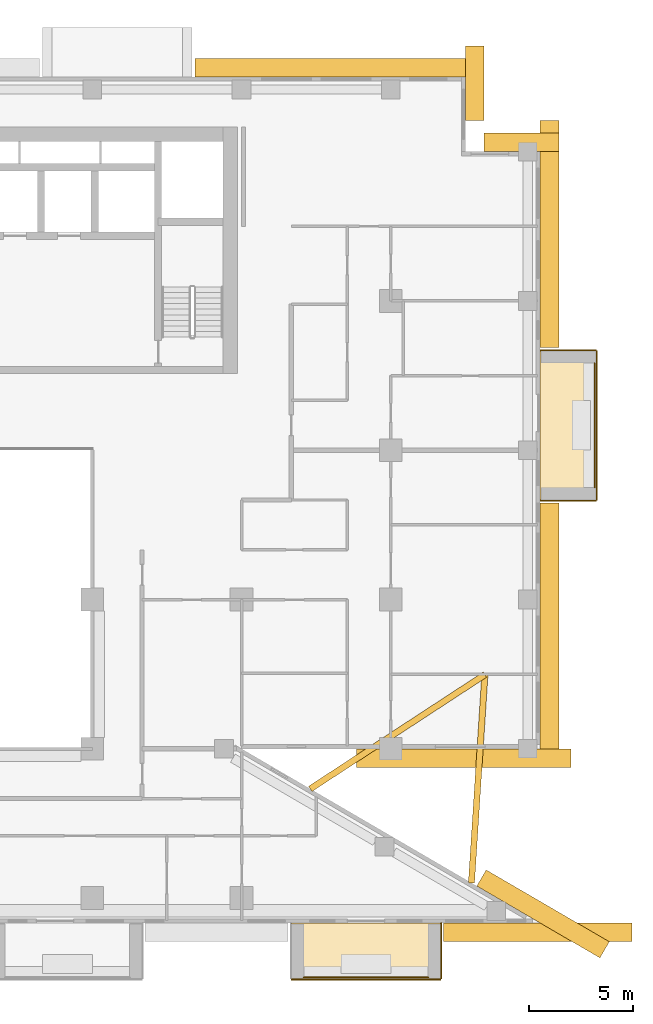
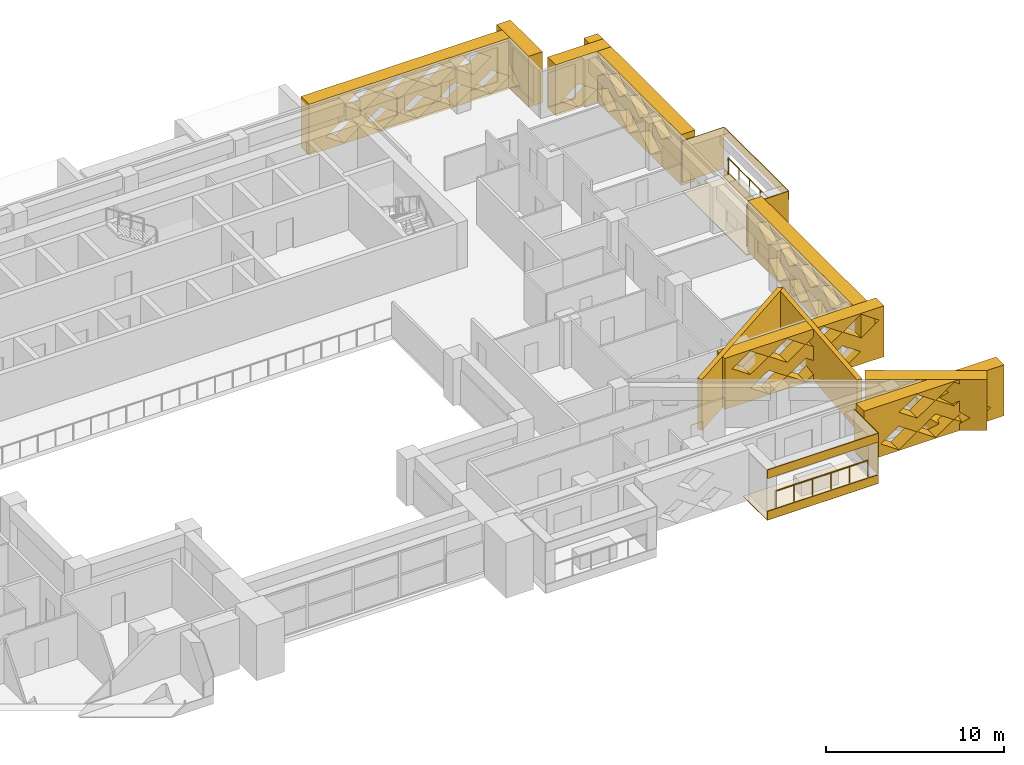
# One storey, part 20 of 20: 19 coverings, 2 railings.
"""IFC4 building model written with IfcOpenShell, lengths in metres."""

import ifcopenshell
import ifcopenshell.guid

model = None  # the IFC model being written
_history = None  # IfcOwnerHistory: only IFC2X3 demands one
_inside = {}  # id of a spatial element -> (the spatial element, [elements in it])
_under = {}  # id of a project, library or spatial element -> (it, [spatial elements below it])
_declared = {}  # id of a project -> (the project, [libraries it declares])
_typed = {}  # id of a type object -> (the type object, [elements of that type])
_made_of = {}  # id of a material, layer set ... -> (it, [elements and type objects made of it])


def new_model(schema):
    """Start an empty IFC model of exactly this schema.

    Asked for "IFC4X3", IfcOpenShell would pick the latest addendum, in which some entities
    have other attributes; the version numbers below select the first issue.
    IFC2X3 requires an IfcOwnerHistory on every rooted entity: one is made here for all.
    """
    global model, _history
    if schema == "IFC4X3":
        model = ifcopenshell.file(schema_version=(4, 3, 0, 0))
    else:
        model = ifcopenshell.file(schema=schema)
    _inside.clear()
    _under.clear()
    _declared.clear()
    _typed.clear()
    _made_of.clear()
    _history = None
    if model.schema == "IFC2X3":
        org = make("IfcOrganization", Name="unknown")
        user = make(
            "IfcPersonAndOrganization",
            ThePerson=make("IfcPerson", FamilyName="unknown"),
            TheOrganization=org,
        )
        app = make(
            "IfcApplication",
            ApplicationDeveloper=org,
            Version="unknown",
            ApplicationFullName="unknown",
            ApplicationIdentifier="unknown",
        )
        _history = make(
            "IfcOwnerHistory",
            OwningUser=user,
            OwningApplication=app,
            ChangeAction="ADDED",
            CreationDate=0,
        )
    return model


def make(cls, **values):
    """One entity of the class cls with the attributes given. An attribute that is None is left unset."""
    return model.create_entity(
        cls, **{name: value for name, value in values.items() if value is not None}
    )


def rooted(cls, **values):
    """An entity with a GlobalId (a new one), such as an element, a storey or a relation."""
    return make(cls, GlobalId=ifcopenshell.guid.new(), OwnerHistory=_history, **values)


def si_unit(unit_type, name, prefix=None):
    """IfcSIUnit, for example si_unit("LENGTHUNIT", "METRE", prefix="MILLI")."""
    return make("IfcSIUnit", UnitType=unit_type, Prefix=prefix, Name=name)


def assignment(units):
    """IfcUnitAssignment: the units of a project."""
    return None if units is None else make("IfcUnitAssignment", Units=units)


def point(xyz):
    """IfcCartesianPoint."""
    return None if xyz is None else make("IfcCartesianPoint", Coordinates=xyz)


def direction(xyz):
    """IfcDirection."""
    return None if xyz is None else make("IfcDirection", DirectionRatios=xyz)


def frame(location, z_axis=None, x_axis=None):
    """IfcAxis2Placement3D, a coordinate frame: its origin and axes. An axis left out is left unset."""
    return make(
        "IfcAxis2Placement3D",
        Location=point(location),
        Axis=direction(z_axis),
        RefDirection=direction(x_axis),
    )


def frame_2d(location, x_axis=None):
    """IfcAxis2Placement2D, a coordinate frame in the plane: its origin and x axis."""
    return make(
        "IfcAxis2Placement2D", Location=point(location), RefDirection=direction(x_axis)
    )


def origin():
    """The frame at (0, 0, 0) with its axes left unset."""
    return frame((0.0, 0.0, 0.0))


def origin_2d():
    """The frame at (0, 0) in the plane with its x axis left unset."""
    return frame_2d((0.0, 0.0))


def place(relative_to, where):
    """IfcLocalPlacement: puts the frame where relative to a parent placement (None: the world)."""
    return make(
        "IfcLocalPlacement", PlacementRelTo=relative_to, RelativePlacement=where
    )


def context(
    kind, dimensions, precision=None, world=None, true_north=None, identifier=None
):
    """IfcGeometricRepresentationContext, for example the 3D "Model" context."""
    return make(
        "IfcGeometricRepresentationContext",
        ContextIdentifier=identifier,
        ContextType=kind,
        CoordinateSpaceDimension=dimensions,
        Precision=precision,
        WorldCoordinateSystem=world,
        TrueNorth=true_north,
    )


def subcontext(parent, identifier, kind, view, scale=None):
    """IfcGeometricRepresentationSubContext, for example "Body" below "Model"."""
    return make(
        "IfcGeometricRepresentationSubContext",
        ContextIdentifier=identifier,
        ContextType=kind,
        ParentContext=parent,
        TargetScale=scale,
        TargetView=view,
    )


def project(units=None, contexts=None):
    """IfcProject with its units and contexts."""
    return rooted(
        "IfcProject",
        Name="project",
        RepresentationContexts=contexts,
        UnitsInContext=assignment(units),
    )


def spatial(cls, under=None, at=None, **own):
    """A site, building, storey or space (cls), placed at a placement, below another one or the project."""
    s = rooted(cls, ObjectPlacement=at, **own)
    if under is not None:
        _under.setdefault(under.id(), (under, []))[1].append(s)
    return s


def polyline(points):
    """IfcPolyline through the points."""
    return make("IfcPolyline", Points=[point(p) for p in points])


def profile(cls, at=None, kind="AREA", **sizes):
    """A parametric profile (cls). Its sizes go by their IFC names, for example OverallWidth=200.0."""
    return make(cls, ProfileType=kind, Position=at, **sizes)


def circle(**sizes):
    """IfcCircleProfileDef."""
    return profile("IfcCircleProfileDef", **sizes)


def outline(outer, holes=None, kind="AREA"):
    """IfcArbitraryClosedProfileDef: a profile drawn as a closed curve; with holes, ...WithVoids."""
    if holes is None:
        return make("IfcArbitraryClosedProfileDef", ProfileType=kind, OuterCurve=outer)
    return make(
        "IfcArbitraryProfileDefWithVoids",
        ProfileType=kind,
        OuterCurve=outer,
        InnerCurves=holes,
    )


def extrude(swept, where, along, depth):
    """IfcExtrudedAreaSolid: the profile swept, set in the frame where, extruded along a direction by depth."""
    return make(
        "IfcExtrudedAreaSolid",
        SweptArea=swept,
        Position=where,
        ExtrudedDirection=direction(along),
        Depth=depth,
    )


def shape(context_of_items, identifier, shape_type, items):
    """IfcShapeRepresentation: the items that make up one representation, for example the "Body"."""
    return make(
        "IfcShapeRepresentation",
        ContextOfItems=context_of_items,
        RepresentationIdentifier=identifier,
        RepresentationType=shape_type,
        Items=items,
    )


def material(Name=None, Category=None):
    """IfcMaterial."""
    return make("IfcMaterial", Name=Name, Category=Category)


def layer(
    of_material, thickness, ventilated=None, Name=None, Category=None, Priority=None
):
    """IfcMaterialLayer: one layer of a wall or slab, of a material (None: an air gap)."""
    return make(
        "IfcMaterialLayer",
        Material=of_material,
        LayerThickness=thickness,
        IsVentilated=ventilated,
        Name=Name,
        Category=Category,
        Priority=Priority,
    )


def layer_set(layers, Name=None):
    """IfcMaterialLayerSet."""
    return make("IfcMaterialLayerSet", MaterialLayers=layers, LayerSetName=Name)


def made_of(thing, what):
    """Note that an element or type object is made of a material, layer set ...; save() writes the relation."""
    if what is not None:
        _made_of.setdefault(what.id(), (what, []))[1].append(thing)
    return thing


def type_object(cls, material=None, **own):
    """A type object (cls), such as IfcWallType, which elements share."""
    return made_of(rooted(cls, **own), material)


def element(
    cls,
    number,
    at=None,
    inside=None,
    cuts=None,
    type_object=None,
    material=None,
    context=None,
    identifier="Body",
    shape_type=None,
    held_by="IfcProductDefinitionShape",
    body=None,
    shapes=None,
    **own,
):
    """One element of the class cls, such as IfcWall. Its Tag is "e" and its number.

    at: its placement. inside: the storey or other place that contains it. cuts: it is an
    opening in that element (IfcRelVoidsElement). A single representation is given by context,
    identifier, shape_type and body (its items); several are given by shapes. held_by: the class
    of the entity that holds the representations. save() writes the other relations.
    """
    e = rooted(cls, Tag="e%d" % number, ObjectPlacement=at, **own)
    if body is not None:
        shapes = [shape(context, identifier, shape_type, body)]
    if shapes is not None:
        e.Representation = make(held_by, Representations=shapes)
    if inside is not None:
        _inside.setdefault(inside.id(), (inside, []))[1].append(e)
    if cuts is not None:
        rooted(
            "IfcRelVoidsElement", RelatingBuildingElement=cuts, RelatedOpeningElement=e
        )
    if type_object is not None:
        _typed.setdefault(type_object.id(), (type_object, []))[1].append(e)
    return made_of(e, material)


def aggregate(whole, parts):
    """IfcRelAggregates: a whole, such as a stair, and the parts it consists of."""
    return rooted("IfcRelAggregates", RelatingObject=whole, RelatedObjects=parts)


def save(model, path):
    """Write the relations noted so far, then the file.

    IfcRelAggregates (storeys below a building ...), IfcRelContainedInSpatialStructure (elements
    in a storey), IfcRelDefinesByType, IfcRelAssociatesMaterial and IfcRelDeclares: one each for
    every whole, place, type object, material and project.
    """
    for whole, parts in _under.values():
        aggregate(whole, parts)
    for where, things in _inside.values():
        rooted(
            "IfcRelContainedInSpatialStructure",
            RelatedElements=things,
            RelatingStructure=where,
        )
    for kind, things in _typed.values():
        rooted("IfcRelDefinesByType", RelatedObjects=things, RelatingType=kind)
    for what, things in _made_of.values():
        rooted("IfcRelAssociatesMaterial", RelatedObjects=things, RelatingMaterial=what)
    for by, libraries in _declared.values():
        rooted("IfcRelDeclares", RelatingContext=by, RelatedDefinitions=libraries)
    model.write(path)


model = new_model("IFC4")

# Units and contexts
model_context = context("Model", 3, precision=1e-05, world=origin(), true_north=direction((0.0, 1.0)))
body_context = subcontext(model_context, "Body", "Model", "MODEL_VIEW")
ifc_project = project(units=[si_unit("LENGTHUNIT", "METRE"), si_unit("AREAUNIT", "SQUARE_METRE"), si_unit("VOLUMEUNIT", "CUBIC_METRE"), si_unit("PLANEANGLEUNIT", "RADIAN"), si_unit("MASSUNIT", "GRAM", prefix="KILO")], contexts=[model_context])

# Site, building, storey
site_placement = place(None, origin())
site = spatial("IfcSite", under=ifc_project, at=site_placement, CompositionType="ELEMENT")
building_placement = place(site_placement, origin())
building = spatial("IfcBuilding", under=site, at=building_placement, Name="Saffron Iwan Residences", CompositionType="ELEMENT")
storey_placement = place(building_placement, frame((0.0, 0.0, 130.5)))
storey = spatial("IfcBuildingStorey", under=building, at=storey_placement, Name="L34", CompositionType="ELEMENT", Elevation=130.5)

# Railings
ifc_material_1 = material(Name="Stainless steel 316", Category="steel")
railing_type = type_object("IfcRailingType", Name="BALCONY GUARD 1150", PredefinedType="GUARDRAIL", material=ifc_material_1)
railing_1_placement = place(storey_placement, frame((89.02490234375, 60.60009765625, 0.0)))
element("IfcRailing", 1, at=railing_1_placement, inside=storey, type_object=railing_type, Name="Balcony guard L34 F2-0", PredefinedType="GUARDRAIL", context=body_context, shape_type="SweptSolid", body=[
    extrude(circle(Radius=0.02392578125, at=origin_2d()), frame((0.0, 0.0, 1.1259765625), z_axis=(0.0, 1.0, 0.0), x_axis=(-1.0, 0.0, 0.0)), (0.0, 0.0, 1.0), 6.0),
    extrude(circle(Radius=0.02099609375, at=origin_2d()), origin(), (0.0, 0.0, 1.0), 1.101806640625),
    extrude(circle(Radius=0.02099609375, at=origin_2d()), frame((0.0, 1.199951171875, 0.0)), (0.0, 0.0, 1.0), 1.101806640625),
    extrude(circle(Radius=0.02099609375, at=origin_2d()), frame((0.0, 2.39990234375, 0.0)), (0.0, 0.0, 1.0), 1.101806640625),
    extrude(circle(Radius=0.02099609375, at=origin_2d()), frame((0.0, 3.60009765625, 0.0)), (0.0, 0.0, 1.0), 1.101806640625),
    extrude(circle(Radius=0.02099609375, at=origin_2d()), frame((0.0, 4.800048828125, 0.0)), (0.0, 0.0, 1.0), 1.101806640625),
    extrude(circle(Radius=0.02099609375, at=origin_2d()), frame((0.0, 6.0, 0.0)), (0.0, 0.0, 1.0), 1.101806640625),
])
railing_2_placement = place(storey_placement, frame((75.0, 36.97509765625, 0.0)))
element("IfcRailing", 2, at=railing_2_placement, inside=storey, type_object=railing_type, Name="Balcony guard L34 11-2", PredefinedType="GUARDRAIL", context=body_context, shape_type="SweptSolid", body=[
    extrude(circle(Radius=0.02392578125, at=origin_2d()), frame((0.0, 0.0, 1.1259765625), z_axis=(1.0, 0.0, 0.0), x_axis=(0.0, 1.0, 0.0)), (0.0, 0.0, 1.0), 6.0),
    extrude(circle(Radius=0.02099609375, at=origin_2d()), origin(), (0.0, 0.0, 1.0), 1.101806640625),
    extrude(circle(Radius=0.02099609375, at=origin_2d()), frame((1.199951171875, 0.0, 0.0)), (0.0, 0.0, 1.0), 1.101806640625),
    extrude(circle(Radius=0.02099609375, at=origin_2d()), frame((2.39990234375, 0.0, 0.0)), (0.0, 0.0, 1.0), 1.101806640625),
    extrude(circle(Radius=0.02099609375, at=origin_2d()), frame((3.60009765625, 0.0, 0.0)), (0.0, 0.0, 1.0), 1.101806640625),
    extrude(circle(Radius=0.02099609375, at=origin_2d()), frame((4.800048828125, 0.0, 0.0)), (0.0, 0.0, 1.0), 1.101806640625),
    extrude(circle(Radius=0.02099609375, at=origin_2d()), frame((6.0, 0.0, 0.0)), (0.0, 0.0, 1.0), 1.101806640625),
])

# Coverings
ifc_material_2 = material(Name="Precast concrete C40/50 white painted", Category="concrete")
ifc_layer_1 = layer(ifc_material_2, 0.050048828125)
ifc_layer_set_1 = layer_set([ifc_layer_1], Name="Precast concrete C40/50 white painted")
covering_type_1 = type_object("IfcCoveringType", Name="FRAME SKIN PRECAST WHITE 50", PredefinedType="CLADDING", material=ifc_layer_set_1)
for number, where, name in (
    (3, (0.0, 0.0, -0.60009765625), "Frame skin slab edge L34 F2-0"),
    (4, (0.0, 0.0, 2.25), "Frame skin fascia L34 F2-0"),
):
    element("IfcCovering", number, at=place(storey_placement, frame(where)), inside=storey, type_object=covering_type_1, Name=name, PredefinedType="CLADDING", context=body_context, shape_type="SweptSolid", body=[
        extrude(outline(polyline([(89.14990234375, 60.0), (89.14990234375, 67.199951171875), (89.10009765625, 67.199951171875), (89.10009765625, 60.0), (89.14990234375, 60.0)])), origin(), (0.0, 0.0, 1.0), 0.60009765625),
    ])
covering_1_placement = place(storey_placement, frame((0.0, 0.0, -0.64990234375)))
element("IfcCovering", 5, at=covering_1_placement, inside=storey, type_object=covering_type_1, Name="Frame skin soffit L34 F2-0", PredefinedType="CLADDING", context=body_context, shape_type="SweptSolid", body=[
    extrude(outline(polyline([(89.10009765625, 60.0), (89.10009765625, 67.199951171875), (86.39990234375, 67.199951171875), (86.39990234375, 60.0), (89.10009765625, 60.0)])), origin(), (0.0, 0.0, 1.0), 0.0498046875),
])
covering_2_placement = place(storey_placement, origin())
element("IfcCovering", 6, at=covering_2_placement, inside=storey, type_object=covering_type_1, Name="Frame skin fin L34 F2-0a", PredefinedType="CLADDING", context=body_context, shape_type="SweptSolid", body=[
    extrude(outline(polyline([(89.10009765625, 59.949951171875), (89.10009765625, 60.0), (86.39990234375, 60.0), (86.39990234375, 59.949951171875), (89.10009765625, 59.949951171875)])), origin(), (0.0, 0.0, 1.0), 2.85009765625),
])
covering_3_placement = place(storey_placement, origin())
element("IfcCovering", 7, at=covering_3_placement, inside=storey, type_object=covering_type_1, Name="Frame skin fin L34 F2-0b", PredefinedType="CLADDING", context=body_context, shape_type="SweptSolid", body=[
    extrude(outline(polyline([(89.10009765625, 67.199951171875), (89.10009765625, 67.25), (86.39990234375, 67.25), (86.39990234375, 67.199951171875), (89.10009765625, 67.199951171875)])), origin(), (0.0, 0.0, 1.0), 2.85009765625),
])
for number, where, name in (
    (8, (0.0, 0.0, -0.60009765625), "Frame skin slab edge L34 11-2"),
    (9, (0.0, 0.0, 2.25), "Frame skin fascia L34 11-2"),
):
    element("IfcCovering", number, at=place(storey_placement, frame(where)), inside=storey, type_object=covering_type_1, Name=name, PredefinedType="CLADDING", context=body_context, shape_type="SweptSolid", body=[
        extrude(outline(polyline([(74.39990234375, 36.85009765625), (81.60009765625, 36.85009765625), (81.60009765625, 36.89990234375), (74.39990234375, 36.89990234375), (74.39990234375, 36.85009765625)])), origin(), (0.0, 0.0, 1.0), 0.60009765625),
    ])
covering_4_placement = place(storey_placement, frame((0.0, 0.0, -0.64990234375)))
element("IfcCovering", 10, at=covering_4_placement, inside=storey, type_object=covering_type_1, Name="Frame skin soffit L34 11-2", PredefinedType="CLADDING", context=body_context, shape_type="SweptSolid", body=[
    extrude(outline(polyline([(74.39990234375, 36.89990234375), (81.60009765625, 36.89990234375), (81.60009765625, 39.60009765625), (74.39990234375, 39.60009765625), (74.39990234375, 36.89990234375)])), origin(), (0.0, 0.0, 1.0), 0.0498046875),
])
covering_5_placement = place(storey_placement, origin())
element("IfcCovering", 11, at=covering_5_placement, inside=storey, type_object=covering_type_1, Name="Frame skin fin L34 11-2b", PredefinedType="CLADDING", context=body_context, shape_type="SweptSolid", body=[
    extrude(outline(polyline([(81.60009765625, 36.89990234375), (81.64990234375, 36.89990234375), (81.64990234375, 39.60009765625), (81.60009765625, 39.60009765625), (81.60009765625, 36.89990234375)])), origin(), (0.0, 0.0, 1.0), 2.85009765625),
])
ifc_material_3 = material(Name="Precast concrete C40/50", Category="concrete")
covering_type_2 = type_object("IfcCoveringType", Name="OUTER SKIN LATTICE SCREEN", PredefinedType="CLADDING", material=ifc_material_3)
covering_6_placement = place(storey_placement, frame((89.283935546875, 37.917724609375, -0.300048828125), z_axis=(0.503803550485, 0.863818257806, 0.0), x_axis=(-0.863818257806, 0.503803550485, 0.0)))
element("IfcCovering", 12, at=covering_6_placement, inside=storey, type_object=covering_type_2, Name="OUTER SKIN lattice screen L34 F0.0", PredefinedType="CLADDING", context=body_context, shape_type="SweptSolid", body=[
    extrude(outline(polyline([(0.0, 0.0), (6.874267578125, 0.0), (6.874267578125, 3.5), (0.0, 3.5), (0.0, 0.0)]), holes=[polyline([(0.958740234375, 0.875), (2.138671875, 0.06005859375), (3.318603515625, 0.875), (2.138671875, 1.68994140625), (0.958740234375, 0.875)]), polyline([(3.358642578125, 0.875), (4.538818359375, 0.06005859375), (5.71875, 0.875), (4.538818359375, 1.68994140625), (3.358642578125, 0.875)]), polyline([(2.15869140625, 2.625), (3.338623046875, 1.81005859375), (4.518798828125, 2.625), (3.338623046875, 3.43994140625), (2.15869140625, 2.625)])]), origin(), (0.0, 0.0, 1.0), 0.89990234375),
])
covering_7_placement = place(storey_placement, frame((77.538818359375, 48.0, -0.300048828125), z_axis=(0.0, -1.0, 0.0), x_axis=(1.0, 0.0, 0.0)))
element("IfcCovering", 13, at=covering_7_placement, inside=storey, type_object=covering_type_2, Name="OUTER SKIN lattice screen L34 F1.0", PredefinedType="CLADDING", context=body_context, shape_type="SweptSolid", body=[
    extrude(outline(polyline([(0.0, 0.0), (10.361328125, 0.0), (10.361328125, 3.5), (0.0, 3.5), (0.0, 0.0)]), holes=[polyline([(1.681396484375, 0.875), (2.861328125, 0.06005859375), (4.041259765625, 0.875), (2.861328125, 1.68994140625), (1.681396484375, 0.875)]), polyline([(4.081298828125, 0.875), (5.26123046875, 0.06005859375), (6.44140625, 0.875), (5.26123046875, 1.68994140625), (4.081298828125, 0.875)]), polyline([(6.481201171875, 0.875), (7.661376953125, 0.06005859375), (8.84130859375, 0.875), (7.661376953125, 1.68994140625), (6.481201171875, 0.875)]), polyline([(0.481201171875, 2.625), (1.661376953125, 1.81005859375), (2.84130859375, 2.625), (1.661376953125, 3.43994140625), (0.481201171875, 2.625)]), polyline([(2.88134765625, 2.625), (4.061279296875, 1.81005859375), (5.2412109375, 2.625), (4.061279296875, 3.43994140625), (2.88134765625, 2.625)]), polyline([(5.28125, 2.625), (6.461181640625, 1.81005859375), (7.641357421875, 2.625), (6.461181640625, 3.43994140625), (5.28125, 2.625)]), polyline([(7.681396484375, 2.625), (8.861328125, 1.81005859375), (10.041259765625, 2.625), (8.861328125, 3.43994140625), (7.681396484375, 2.625)])]), origin(), (0.0, 0.0, 1.0), 0.89990234375),
])
covering_8_placement = place(storey_placement, frame((86.39990234375, 47.10009765625, -0.300048828125), z_axis=(1.0, 0.0, 0.0), x_axis=(0.0, 1.0, 0.0)))
element("IfcCovering", 14, at=covering_8_placement, inside=storey, type_object=covering_type_2, Name="OUTER SKIN lattice screen L34 F2.0", PredefinedType="CLADDING", context=body_context, shape_type="SweptSolid", body=[
    extrude(outline(polyline([(0.0, 0.0), (12.75, 0.0), (12.75, 3.5), (0.0, 3.5), (0.0, 0.0)]), holes=[polyline([(0.919921875, 0.875), (2.10009765625, 0.06005859375), (3.280029296875, 0.875), (2.10009765625, 1.68994140625), (0.919921875, 0.875)]), polyline([(3.320068359375, 0.875), (4.5, 0.06005859375), (5.679931640625, 0.875), (4.5, 1.68994140625), (3.320068359375, 0.875)]), polyline([(5.719970703125, 0.875), (6.89990234375, 0.06005859375), (8.080078125, 0.875), (6.89990234375, 1.68994140625), (5.719970703125, 0.875)]), polyline([(8.1201171875, 0.875), (9.300048828125, 0.06005859375), (10.47998046875, 0.875), (9.300048828125, 1.68994140625), (8.1201171875, 0.875)]), polyline([(2.1201171875, 2.625), (3.300048828125, 1.81005859375), (4.47998046875, 2.625), (3.300048828125, 3.43994140625), (2.1201171875, 2.625)]), polyline([(4.52001953125, 2.625), (5.699951171875, 1.81005859375), (6.8798828125, 2.625), (5.699951171875, 3.43994140625), (4.52001953125, 2.625)]), polyline([(6.919921875, 2.625), (8.10009765625, 1.81005859375), (9.280029296875, 2.625), (8.10009765625, 3.43994140625), (6.919921875, 2.625)]), polyline([(9.320068359375, 2.625), (10.5, 1.81005859375), (11.679931640625, 2.625), (10.5, 3.43994140625), (9.320068359375, 2.625)])]), origin(), (0.0, 0.0, 1.0), 0.900146484375),
])
covering_9_placement = place(storey_placement, frame((86.39990234375, 67.35009765625, -0.300048828125), z_axis=(1.0, 0.0, 0.0), x_axis=(0.0, 1.0, 0.0)))
element("IfcCovering", 15, at=covering_9_placement, inside=storey, type_object=covering_type_2, Name="OUTER SKIN lattice screen L34 F2.1", PredefinedType="CLADDING", context=body_context, shape_type="SweptSolid", body=[
    extrude(outline(polyline([(0.0, 0.0), (10.949951171875, 0.0), (10.949951171875, 3.5), (0.0, 3.5), (0.0, 0.0)]), holes=[polyline([(2.27001953125, 0.875), (3.449951171875, 0.06005859375), (4.6298828125, 0.875), (3.449951171875, 1.68994140625), (2.27001953125, 0.875)]), polyline([(4.669921875, 0.875), (5.85009765625, 0.06005859375), (7.030029296875, 0.875), (5.85009765625, 1.68994140625), (4.669921875, 0.875)]), polyline([(7.070068359375, 0.875), (8.25, 0.06005859375), (9.429931640625, 0.875), (8.25, 1.68994140625), (7.070068359375, 0.875)]), polyline([(1.070068359375, 2.625), (2.25, 1.81005859375), (3.429931640625, 2.625), (2.25, 3.43994140625), (1.070068359375, 2.625)]), polyline([(3.469970703125, 2.625), (4.64990234375, 1.81005859375), (5.830078125, 2.625), (4.64990234375, 3.43994140625), (3.469970703125, 2.625)]), polyline([(5.8701171875, 2.625), (7.050048828125, 1.81005859375), (8.22998046875, 2.625), (7.050048828125, 3.43994140625), (5.8701171875, 2.625)]), polyline([(8.27001953125, 2.625), (9.449951171875, 1.81005859375), (10.6298828125, 2.625), (9.449951171875, 3.43994140625), (8.27001953125, 2.625)])]), origin(), (0.0, 0.0, 1.0), 0.900146484375),
])
for number, where, z_axis, x_axis, name in (
    (16, (87.300048828125, 76.800048828125, -0.300048828125), (0.0, 1.0, 0.0), (-1.0, 0.0, 0.0), "OUTER SKIN lattice screen L34 F3.0"),
    (17, (82.800048828125, 78.300048828125, -0.300048828125), (1.0, 0.0, 0.0), (0.0, 1.0, 0.0), "OUTER SKIN lattice screen L34 F4.0"),
):
    element("IfcCovering", number, at=place(storey_placement, frame(where, z_axis=z_axis, x_axis=x_axis)), inside=storey, type_object=covering_type_2, Name=name, PredefinedType="CLADDING", context=body_context, shape_type="SweptSolid", body=[
        extrude(outline(polyline([(0.0, 0.0), (3.60009765625, 0.0), (3.60009765625, 3.5), (0.0, 3.5), (0.0, 0.0)]), holes=[polyline([(0.919921875, 0.875), (2.10009765625, 0.06005859375), (3.280029296875, 0.875), (2.10009765625, 1.68994140625), (0.919921875, 0.875)])]), origin(), (0.0, 0.0, 1.0), 0.89990234375),
    ])
covering_10_placement = place(storey_placement, frame((83.699951171875, 80.39990234375, -0.300048828125), z_axis=(0.0, 1.0, 0.0), x_axis=(-1.0, 0.0, 0.0)))
element("IfcCovering", 18, at=covering_10_placement, inside=storey, type_object=covering_type_2, Name="OUTER SKIN lattice screen L34 F5.0", PredefinedType="CLADDING", context=body_context, shape_type="SweptSolid", body=[
    extrude(outline(polyline([(0.0, 0.0), (13.949951171875, 0.0), (13.949951171875, 3.5), (0.0, 3.5), (0.0, 0.0)]), holes=[polyline([(0.919921875, 0.875), (2.10009765625, 0.06005859375), (3.280029296875, 0.875), (2.10009765625, 1.68994140625), (0.919921875, 0.875)]), polyline([(3.320068359375, 0.875), (4.5, 0.06005859375), (5.679931640625, 0.875), (4.5, 1.68994140625), (3.320068359375, 0.875)]), polyline([(5.719970703125, 0.875), (6.89990234375, 0.06005859375), (8.080078125, 0.875), (6.89990234375, 1.68994140625), (5.719970703125, 0.875)]), polyline([(8.1201171875, 0.875), (9.300048828125, 0.06005859375), (10.47998046875, 0.875), (9.300048828125, 1.68994140625), (8.1201171875, 0.875)]), polyline([(10.52001953125, 0.875), (11.699951171875, 0.06005859375), (12.8798828125, 0.875), (11.699951171875, 1.68994140625), (10.52001953125, 0.875)]), polyline([(2.1201171875, 2.625), (3.300048828125, 1.81005859375), (4.47998046875, 2.625), (3.300048828125, 3.43994140625), (2.1201171875, 2.625)]), polyline([(4.52001953125, 2.625), (5.699951171875, 1.81005859375), (6.8798828125, 2.625), (5.699951171875, 3.43994140625), (4.52001953125, 2.625)]), polyline([(6.919921875, 2.625), (8.10009765625, 1.81005859375), (9.280029296875, 2.625), (8.10009765625, 3.43994140625), (6.919921875, 2.625)]), polyline([(9.320068359375, 2.625), (10.5, 1.81005859375), (11.679931640625, 2.625), (10.5, 3.43994140625), (9.320068359375, 2.625)])]), origin(), (0.0, 0.0, 1.0), 0.900146484375),
])
covering_11_placement = place(storey_placement, frame((81.75, 39.60009765625, -0.300048828125), z_axis=(0.0, -1.0, 0.0), x_axis=(1.0, 0.0, 0.0)))
element("IfcCovering", 19, at=covering_11_placement, inside=storey, type_object=covering_type_2, Name="OUTER SKIN lattice screen L34 F11.3", PredefinedType="CLADDING", context=body_context, shape_type="SweptSolid", body=[
    extrude(outline(polyline([(0.0, 0.0), (9.088623046875, 0.0), (9.088623046875, 3.5), (0.0, 3.5), (0.0, 0.0)]), holes=[polyline([(1.070068359375, 0.875), (2.25, 0.06005859375), (3.429931640625, 0.875), (2.25, 1.68994140625), (1.070068359375, 0.875)]), polyline([(3.469970703125, 0.875), (4.64990234375, 0.06005859375), (5.830078125, 0.875), (4.64990234375, 1.68994140625), (3.469970703125, 0.875)]), polyline([(5.8701171875, 0.875), (7.050048828125, 0.06005859375), (8.22998046875, 0.875), (7.050048828125, 1.68994140625), (5.8701171875, 0.875)]), polyline([(2.27001953125, 2.625), (3.449951171875, 1.81005859375), (4.6298828125, 2.625), (3.449951171875, 3.43994140625), (2.27001953125, 2.625)]), polyline([(4.669921875, 2.625), (5.85009765625, 1.81005859375), (7.030029296875, 2.625), (5.85009765625, 3.43994140625), (4.669921875, 2.625)])]), origin(), (0.0, 0.0, 1.0), 0.900146484375),
])
ifc_layer_2 = layer(ifc_material_2, 0.300048828125)
ifc_layer_set_2 = layer_set([ifc_layer_2], Name="Precast concrete C40/50 white painted")
covering_type_3 = type_object("IfcCoveringType", Name="PROW NOSE BLADE PRECAST WHITE", PredefinedType="CLADDING", material=ifc_layer_set_2)
covering_12_placement = place(storey_placement, frame((0.0, 0.0, -0.300048828125)))
element("IfcCovering", 20, at=covering_12_placement, inside=storey, type_object=covering_type_3, Name="Prow nose blade L34 a", PredefinedType="CLADDING", context=body_context, shape_type="SweptSolid", body=[
    extrude(outline(polyline([(83.23681640625, 41.52294921875), (83.884521484375, 51.564453125), (83.585205078125, 51.583740234375), (82.937255859375, 41.542236328125), (83.23681640625, 41.52294921875)])), origin(), (0.0, 0.0, 1.0), 3.5),
])
covering_13_placement = place(storey_placement, frame((0.0, 0.0, -0.300048828125)))
element("IfcCovering", 21, at=covering_13_placement, inside=storey, type_object=covering_type_3, Name="Prow nose blade L34 b", PredefinedType="CLADDING", context=body_context, shape_type="SweptSolid", body=[
    extrude(outline(polyline([(75.39501953125, 45.94189453125), (83.81689453125, 51.448486328125), (83.65283203125, 51.69970703125), (75.23095703125, 46.193115234375), (75.39501953125, 45.94189453125)])), origin(), (0.0, 0.0, 1.0), 3.5),
])

save(model, "model.ifc")
